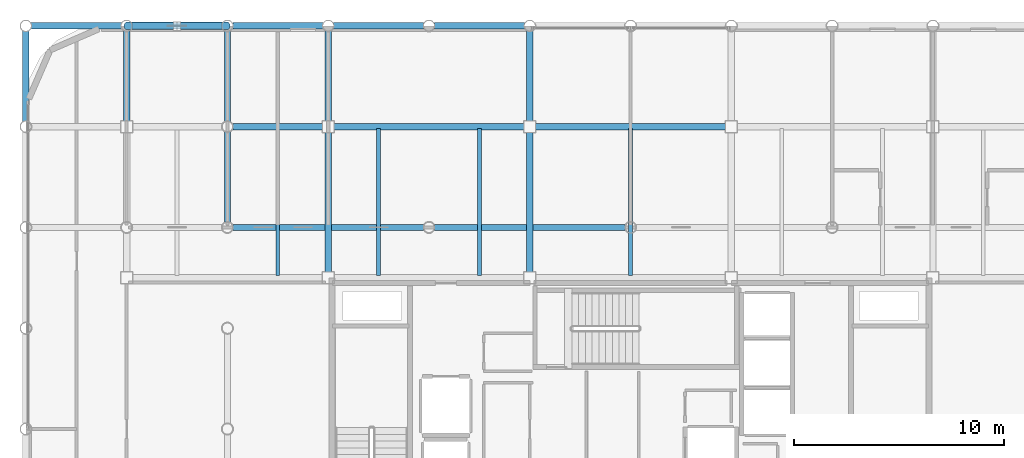
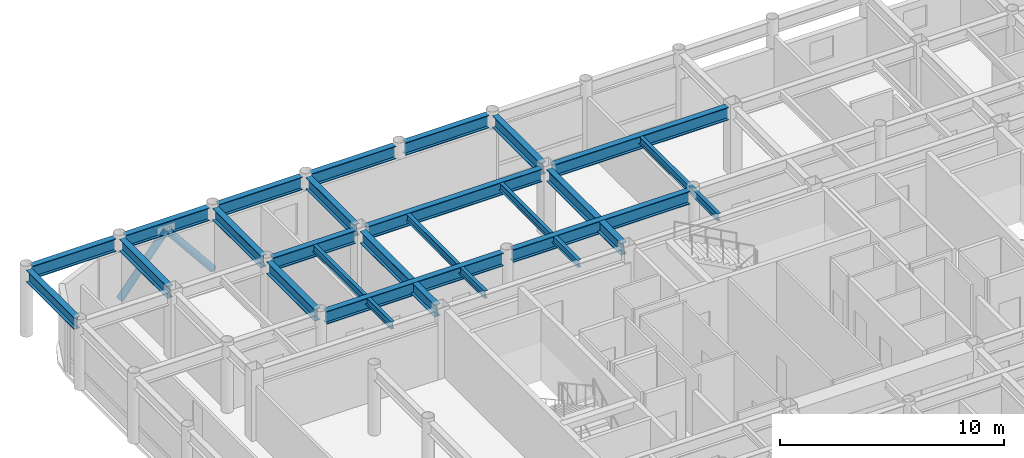
# One storey, part 12 of 21: 22 beams, 2 members.
"""IFC4 building model written with IfcOpenShell, lengths in metres."""

from ifc_helpers import new_model, si_unit, direction, frame, origin, origin_2d, place, context, subcontext, project, spatial, hollow_circle, i_section, extrude, material, material_profile, profile_set, type_object, element, save


model = new_model("IFC4")

# Units and contexts
model_context = context("Model", 3, precision=1e-05, world=origin(), true_north=direction((0.0, 1.0)))
body_context = subcontext(model_context, "Body", "Model", "MODEL_VIEW")
ifc_project = project(units=[si_unit("LENGTHUNIT", "METRE"), si_unit("AREAUNIT", "SQUARE_METRE"), si_unit("VOLUMEUNIT", "CUBIC_METRE"), si_unit("PLANEANGLEUNIT", "RADIAN"), si_unit("MASSUNIT", "GRAM", prefix="KILO")], contexts=[model_context])

# Site, building, storey
site_placement = place(None, origin())
site = spatial("IfcSite", under=ifc_project, at=site_placement, CompositionType="ELEMENT")
building_placement = place(site_placement, origin())
building = spatial("IfcBuilding", under=site, at=building_placement, Name="Kallvorn Hotel Tower", CompositionType="ELEMENT")
storey_placement = place(building_placement, frame((0.0, 0.0, 210.75)))
storey = spatial("IfcBuildingStorey", under=building, at=storey_placement, Name="L52", CompositionType="ELEMENT", Elevation=210.75)

# Beams
ifc_material_1 = material(Name="Structural steel S355JR", Category="steel")
ifc_material_profile_1 = material_profile(ifc_material_1, i_section(OverallWidth=0.300048828125, OverallDepth=0.64990234375, WebThickness=0.01611328125, FlangeThickness=0.031005859375, at=origin_2d()), Name="HE 650 B")
ifc_profile_set_1 = profile_set([ifc_material_profile_1], Name="Structural steel S355JR")
beam_type_1 = type_object("IfcBeamType", Name="BM_HE650B", PredefinedType="BEAM", material=ifc_profile_set_1)
beam_1_placement = place(storey_placement, frame((-28.800048828125, 14.654541015625, 3.344970703125), z_axis=(0.0, 1.0, 0.0), x_axis=(-1.0, 0.0, 0.0)))
element("IfcBeam", 1, at=beam_1_placement, inside=storey, type_object=beam_type_1, Name="L53 Primary Y-Girder 80", PredefinedType="BEAM", context=body_context, shape_type="SweptSolid", body=[
    extrude(i_section(OverallWidth=0.300048828125, OverallDepth=0.64990234375, WebThickness=0.01611328125, FlangeThickness=0.031005859375, at=origin_2d()), origin(), (0.0, 0.0, 1.0), 4.291015625),
])
beam_2_placement = place(storey_placement, frame((-24.0, 14.675048828125, 3.344970703125), z_axis=(0.0, 1.0, 0.0), x_axis=(-1.0, 0.0, 0.0)))
element("IfcBeam", 2, at=beam_2_placement, inside=storey, type_object=beam_type_1, Name="L53 Primary Y-Girder 87", PredefinedType="BEAM", context=body_context, shape_type="SweptSolid", body=[
    extrude(i_section(OverallWidth=0.300048828125, OverallDepth=0.64990234375, WebThickness=0.01611328125, FlangeThickness=0.031005859375, at=origin_2d()), origin(), (0.0, 0.0, 1.0), 4.2705078125),
])
for number, where, z_axis, x_axis, name in (
    (3, (-19.199951171875, 9.8544921875, 3.344970703125), (0.0, 1.0, 0.0), (-1.0, 0.0, 0.0), "L53 Primary Y-Girder 95"),
    (4, (-19.199951171875, 14.654541015625, 3.344970703125), (0.0, 1.0, 0.0), (-1.0, 0.0, 0.0), "L53 Primary Y-Girder 96"),
):
    element("IfcBeam", number, at=place(storey_placement, frame(where, z_axis=z_axis, x_axis=x_axis)), inside=storey, type_object=beam_type_1, Name=name, PredefinedType="BEAM", context=body_context, shape_type="SweptSolid", body=[
        extrude(i_section(OverallWidth=0.300048828125, OverallDepth=0.64990234375, WebThickness=0.01611328125, FlangeThickness=0.031005859375, at=origin_2d()), origin(), (0.0, 0.0, 1.0), 4.291015625),
    ])
beam_3_placement = place(storey_placement, frame((-14.39990234375, 7.47509765625, 3.344970703125), z_axis=(0.0, 1.0, 0.0), x_axis=(-1.0, 0.0, 0.0)))
element("IfcBeam", 5, at=beam_3_placement, inside=storey, type_object=beam_type_1, Name="L53 Primary Y-Girder 100", PredefinedType="BEAM", context=body_context, shape_type="SweptSolid", body=[
    extrude(i_section(OverallWidth=0.300048828125, OverallDepth=0.64990234375, WebThickness=0.01611328125, FlangeThickness=0.031005859375, at=origin_2d()), origin(), (0.0, 0.0, 1.0), 6.64990234375),
])
beam_4_placement = place(storey_placement, frame((-14.39990234375, 14.675048828125, 3.344970703125), z_axis=(0.0, 1.0, 0.0), x_axis=(-1.0, 0.0, 0.0)))
element("IfcBeam", 6, at=beam_4_placement, inside=storey, type_object=beam_type_1, Name="L53 Primary Y-Girder 101", PredefinedType="BEAM", context=body_context, shape_type="SweptSolid", body=[
    extrude(i_section(OverallWidth=0.300048828125, OverallDepth=0.64990234375, WebThickness=0.01611328125, FlangeThickness=0.031005859375, at=origin_2d()), origin(), (0.0, 0.0, 1.0), 4.2705078125),
])
beam_5_placement = place(storey_placement, frame((-4.800048828125, 7.47509765625, 3.344970703125), z_axis=(0.0, 1.0, 0.0), x_axis=(-1.0, 0.0, 0.0)))
element("IfcBeam", 7, at=beam_5_placement, inside=storey, type_object=beam_type_1, Name="L53 Primary Y-Girder 108", PredefinedType="BEAM", context=body_context, shape_type="SweptSolid", body=[
    extrude(i_section(OverallWidth=0.300048828125, OverallDepth=0.64990234375, WebThickness=0.01611328125, FlangeThickness=0.031005859375, at=origin_2d()), origin(), (0.0, 0.0, 1.0), 6.64990234375),
])
beam_6_placement = place(storey_placement, frame((-4.800048828125, 14.675048828125, 3.344970703125), z_axis=(0.0, 1.0, 0.0), x_axis=(-1.0, 0.0, 0.0)))
element("IfcBeam", 8, at=beam_6_placement, inside=storey, type_object=beam_type_1, Name="L53 Primary Y-Girder 109", PredefinedType="BEAM", context=body_context, shape_type="SweptSolid", body=[
    extrude(i_section(OverallWidth=0.300048828125, OverallDepth=0.64990234375, WebThickness=0.01611328125, FlangeThickness=0.031005859375, at=origin_2d()), origin(), (0.0, 0.0, 1.0), 4.2705078125),
])
ifc_material_2 = material(Name="Structural steel S355JR", Category="steel")
ifc_material_profile_2 = material_profile(ifc_material_2, i_section(OverallWidth=0.300048828125, OverallDepth=0.699951171875, WebThickness=0.01708984375, FlangeThickness=0.031982421875, at=origin_2d()), Name="HE 700 B")
ifc_profile_set_2 = profile_set([ifc_material_profile_2], Name="Structural steel S355JR")
beam_type_2 = type_object("IfcBeamType", Name="BM_HE700B", PredefinedType="BEAM", material=ifc_profile_set_2)
for number, where, z_axis, x_axis, name in (
    (9, (-18.945556640625, 9.60009765625, 3.320068359375), (1.0, 0.0, 0.0), (0.0, 1.0, 0.0), "L53 Primary X-Girder 44"),
    (10, (-9.345458984375, 9.60009765625, 3.320068359375), (1.0, 0.0, 0.0), (0.0, 1.0, 0.0), "L53 Primary X-Girder 45"),
):
    element("IfcBeam", number, at=place(storey_placement, frame(where, z_axis=z_axis, x_axis=x_axis)), inside=storey, type_object=beam_type_2, Name=name, PredefinedType="BEAM", context=body_context, shape_type="SweptSolid", body=[
        extrude(i_section(OverallWidth=0.300048828125, OverallDepth=0.699951171875, WebThickness=0.01708984375, FlangeThickness=0.031982421875, at=origin_2d()), origin(), (0.0, 0.0, 1.0), 9.091064453125),
    ])
beam_7_placement = place(storey_placement, frame((-18.945556640625, 14.39990234375, 3.320068359375), z_axis=(1.0, 0.0, 0.0), x_axis=(0.0, 1.0, 0.0)))
element("IfcBeam", 11, at=beam_7_placement, inside=storey, type_object=beam_type_2, Name="L53 Primary X-Girder 53", PredefinedType="BEAM", context=body_context, shape_type="SweptSolid", body=[
    extrude(i_section(OverallWidth=0.300048828125, OverallDepth=0.699951171875, WebThickness=0.01708984375, FlangeThickness=0.031982421875, at=origin_2d()), origin(), (0.0, 0.0, 1.0), 4.2705078125),
])
beam_8_placement = place(storey_placement, frame((-14.125, 14.39990234375, 3.320068359375), z_axis=(1.0, 0.0, 0.0), x_axis=(0.0, 1.0, 0.0)))
element("IfcBeam", 12, at=beam_8_placement, inside=storey, type_object=beam_type_2, Name="L53 Primary X-Girder 54", PredefinedType="BEAM", context=body_context, shape_type="SweptSolid", body=[
    extrude(i_section(OverallWidth=0.300048828125, OverallDepth=0.699951171875, WebThickness=0.01708984375, FlangeThickness=0.031982421875, at=origin_2d()), origin(), (0.0, 0.0, 1.0), 9.050048828125),
])
beam_9_placement = place(storey_placement, frame((-4.52490234375, 14.39990234375, 3.320068359375), z_axis=(1.0, 0.0, 0.0), x_axis=(0.0, 1.0, 0.0)))
element("IfcBeam", 13, at=beam_9_placement, inside=storey, type_object=beam_type_2, Name="L53 Primary X-Girder 55", PredefinedType="BEAM", context=body_context, shape_type="SweptSolid", body=[
    extrude(i_section(OverallWidth=0.300048828125, OverallDepth=0.699951171875, WebThickness=0.01708984375, FlangeThickness=0.031982421875, at=origin_2d()), origin(), (0.0, 0.0, 1.0), 9.0498046875),
])
for number, where, z_axis, x_axis, name in (
    (14, (-28.54541015625, 19.199951171875, 3.320068359375), (1.0, 0.0, 0.0), (0.0, 1.0, 0.0), "L53 Primary X-Girder 61"),
    (15, (-23.74560546875, 19.199951171875, 3.320068359375), (1.0, 0.0, 0.0), (0.0, 1.0, 0.0), "L53 Primary X-Girder 62"),
    (16, (-18.945556640625, 19.199951171875, 3.320068359375), (1.0, 0.0, 0.0), (0.0, 1.0, 0.0), "L53 Primary X-Girder 63"),
    (17, (-14.1455078125, 19.199951171875, 3.320068359375), (1.0, 0.0, 0.0), (0.0, 1.0, 0.0), "L53 Primary X-Girder 64"),
    (18, (-9.345458984375, 19.199951171875, 3.320068359375), (1.0, 0.0, 0.0), (0.0, 1.0, 0.0), "L53 Primary X-Girder 65"),
):
    element("IfcBeam", number, at=place(storey_placement, frame(where, z_axis=z_axis, x_axis=x_axis)), inside=storey, type_object=beam_type_2, Name=name, PredefinedType="BEAM", context=body_context, shape_type="SweptSolid", body=[
        extrude(i_section(OverallWidth=0.300048828125, OverallDepth=0.699951171875, WebThickness=0.01708984375, FlangeThickness=0.031982421875, at=origin_2d()), origin(), (0.0, 0.0, 1.0), 4.291015625),
    ])
ifc_material_3 = material(Name="Structural steel S355JR", Category="steel")
ifc_material_profile_3 = material_profile(ifc_material_3, i_section(OverallWidth=0.179931640625, OverallDepth=0.39990234375, WebThickness=0.008544921875, FlangeThickness=0.013427734375, at=origin_2d()), Name="IPE 400")
ifc_profile_set_3 = profile_set([ifc_material_profile_3], Name="Structural steel S355JR")
beam_type_3 = type_object("IfcBeamType", Name="BM_IPE400", PredefinedType="JOIST", material=ifc_profile_set_3)
for number, where, z_axis, x_axis, name in (
    (19, (-16.800048828125, 7.300048828125, 3.469970703125), (0.0, 1.0, 0.0), (-1.0, 0.0, 0.0), "L53 Secondary Composite Joist 195"),
    (20, (-12.0, 7.300048828125, 3.469970703125), (0.0, 1.0, 0.0), (-1.0, 0.0, 0.0), "L53 Secondary Composite Joist 197"),
    (21, (-7.199951171875, 7.300048828125, 3.469970703125), (0.0, 1.0, 0.0), (-1.0, 0.0, 0.0), "L53 Secondary Composite Joist 199"),
    (22, (0.0, 7.300048828125, 3.469970703125), (0.0, 1.0, 0.0), (-1.0, 0.0, 0.0), "L53 Secondary Composite Joist 201"),
):
    element("IfcBeam", number, at=place(storey_placement, frame(where, z_axis=z_axis, x_axis=x_axis)), inside=storey, type_object=beam_type_3, Name=name, PredefinedType="JOIST", context=body_context, shape_type="SweptSolid", body=[
        extrude(i_section(OverallWidth=0.179931640625, OverallDepth=0.39990234375, WebThickness=0.008544921875, FlangeThickness=0.013427734375, at=origin_2d()), origin(), (0.0, 0.0, 1.0), 7.0),
    ])

# Members
ifc_material_4 = material(Name="Structural steel S355J2H", Category="steel")
ifc_material_profile_4 = material_profile(ifc_material_4, hollow_circle(Radius=0.177734375, WallThickness=0.01416015625, at=origin_2d()), Name="CHS 355.6x14.2")
ifc_profile_set_4 = profile_set([ifc_material_profile_4], Name="Structural steel S355J2H")
member_type = type_object("IfcMemberType", Name="MBR_EXO_CHS355", PredefinedType="BRACE", material=ifc_profile_set_4)
for number, where, z_axis, x_axis, name in (
    (23, (-23.987548828125, 19.199951171875, 0.195556640625), (0.627270878626, 0.0, 0.778801158722), (0.0, 1.0, 0.0), "L52 Exoskeleton K-Brace N1A"),
    (24, (-19.21240234375, 19.199951171875, 0.195556640625), (-0.627270878626, 0.0, 0.778801158722), (0.0, -1.0, 0.0), "L52 Exoskeleton K-Brace N1B"),
):
    element("IfcMember", number, at=place(storey_placement, frame(where, z_axis=z_axis, x_axis=x_axis)), inside=storey, type_object=member_type, Name=name, PredefinedType="BRACE", context=body_context, shape_type="SweptSolid", body=[
        extrude(hollow_circle(Radius=0.177734375, WallThickness=0.01416015625, at=origin_2d()), origin(), (0.0, 0.0, 1.0), 3.7861328125),
    ])

save(model, "model.ifc")
